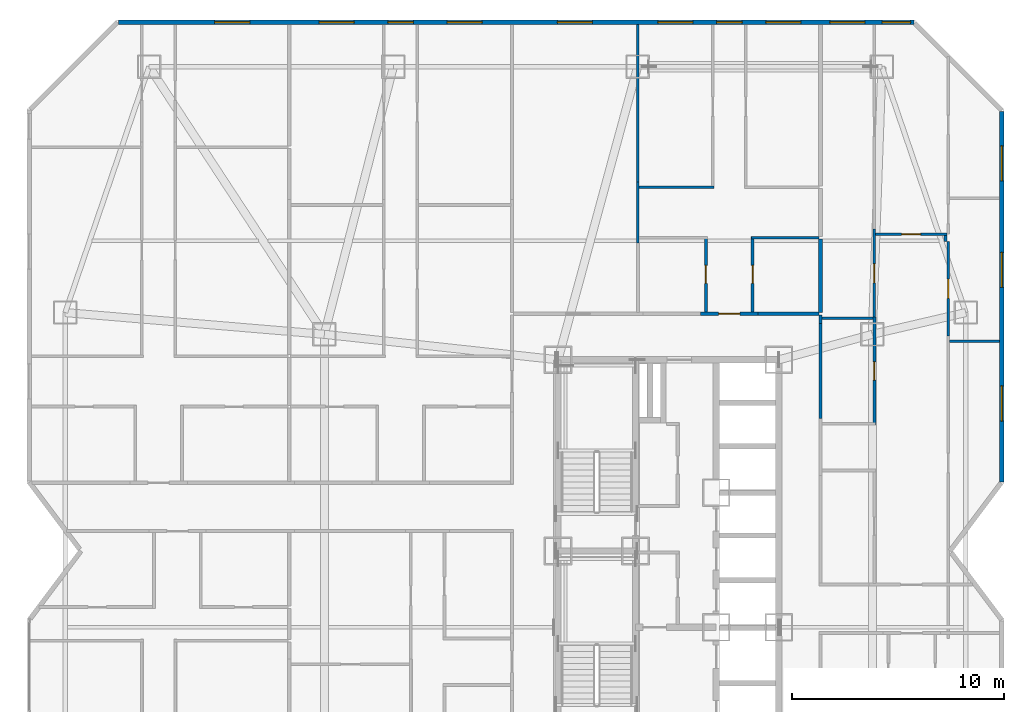
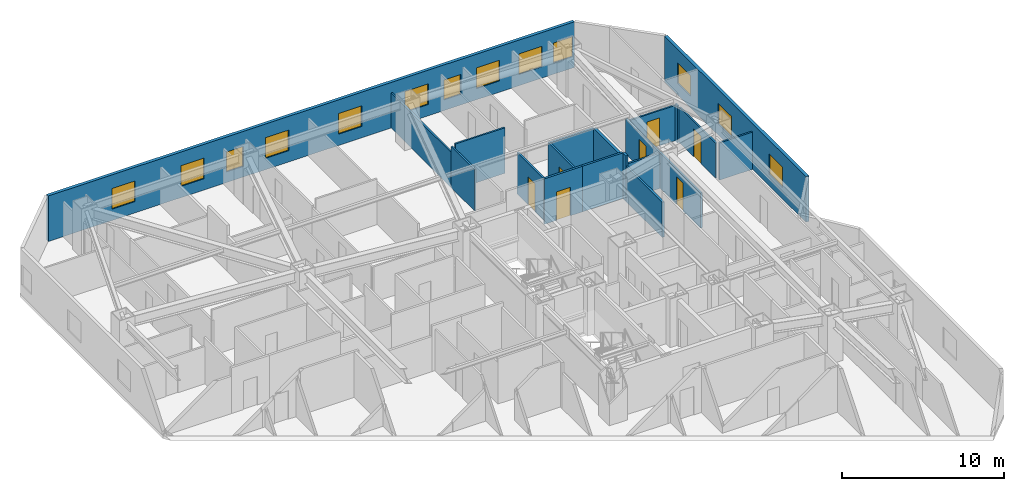
# One storey, part 16 of 18: 20 walls, 13 windows, 7 doors, 20 openings.
"""IFC4 building model written with IfcOpenShell, lengths in metres."""

from ifc_helpers import new_model, si_unit, direction, frame, frame_2d, origin, place, context, subcontext, project, spatial, rectangle, extrude, material, layer, layer_set, type_object, element, fill, save


model = new_model("IFC4")

# Units and contexts
model_context = context("Model", 3, precision=1e-05, world=origin(), true_north=direction((0.0, 1.0)))
body_context = subcontext(model_context, "Body", "Model", "MODEL_VIEW")
ifc_project = project(units=[si_unit("LENGTHUNIT", "METRE"), si_unit("AREAUNIT", "SQUARE_METRE"), si_unit("VOLUMEUNIT", "CUBIC_METRE"), si_unit("PLANEANGLEUNIT", "RADIAN"), si_unit("MASSUNIT", "GRAM", prefix="KILO")], contexts=[model_context])

# Site, building, storey
site_placement = place(None, origin())
site = spatial("IfcSite", under=ifc_project, at=site_placement, CompositionType="ELEMENT")
building_placement = place(site_placement, origin())
building = spatial("IfcBuilding", under=site, at=building_placement, Name="Khamvora Tower", CompositionType="ELEMENT")
storey_placement = place(building_placement, frame((0.0, 0.0, 69.800048828125)))
storey = spatial("IfcBuildingStorey", under=building, at=storey_placement, Name="L17", CompositionType="ELEMENT", Elevation=69.800048828125)

# Wall, opening, door
ifc_material_1 = material(Name="Fire-Rated Drywall and Steel Stud", Category="steel")
ifc_layer_1 = layer(ifc_material_1, 0.14990234375)
ifc_layer_set_1 = layer_set([ifc_layer_1], Name="Fire-Rated Drywall and Steel Stud")
wall_type_1 = type_object("IfcWallType", Name="WAL-CORR-150", PredefinedType="STANDARD", material=ifc_layer_set_1)
wall_1_placement = place(storey_placement, frame((35.716064453125, 39.1650390625, 0.0), z_axis=(0.0, 0.0, 1.0), x_axis=(1.0, 0.0, 0.0)))
wall_1 = element("IfcWall", 1, at=wall_1_placement, inside=storey, type_object=wall_type_1, Name="L17 interior partition wall 029", PredefinedType="STANDARD", context=body_context, shape_type="SweptSolid", body=[
    extrude(rectangle(XDim=2.697998046875, YDim=0.14990234375, at=frame_2d((1.34912109375, 0.0))), origin(), (0.0, 0.0, 1.0), 3.429931640625),
])
opening_1_placement = place(wall_1_placement, frame((0.84912109375, 0.0, 0.0)))
opening_1 = element("IfcOpeningElement", 2, at=opening_1_placement, cuts=wall_1, Name="Opening D-U1", PredefinedType="OPENING", context=body_context, shape_type="SweptSolid", body=[
    extrude(rectangle(XDim=1.0, YDim=2.14990234375, at=frame_2d((0.5, 1.074951171875))), frame((0.0, 0.0849609375, 0.0), z_axis=(0.0, -1.0, 0.0), x_axis=(1.0, 0.0, 0.0)), (0.0, 0.0, 1.0), 0.169921875),
])
ifc_material_2 = material(Name="Powder-Coated Steel and Hardwood Leaf", Category="steel")
door_type_1 = type_object("IfcDoorType", Name="DOR-UNIT-1000", OperationType="NOTDEFINED", PredefinedType="DOOR", material=ifc_material_2)
door_1_placement = place(opening_1_placement, origin())
door_1 = element("IfcDoor", 3, at=door_1_placement, inside=storey, type_object=door_type_1, Name="L17 interior door COR-17NAH", OperationType="SINGLE_SWING_RIGHT", OverallHeight=2.14990234375, OverallWidth=1.0, PredefinedType="DOOR", context=body_context, shape_type="SweptSolid", body=[
    extrude(rectangle(XDim=1.0, YDim=2.14990234375, at=frame_2d((0.5, 1.074951171875))), frame((0.0, 0.02490234375, 0.0), z_axis=(0.0, -1.0, 0.0), x_axis=(1.0, 0.0, 0.0)), (0.0, 0.0, 1.0), 0.050048828125),
])
fill(opening_1, door_1)

# Walls
wall_2_placement = place(storey_placement, frame((38.4140625, 39.1650390625, 0.0), z_axis=(0.0, 0.0, 1.0), x_axis=(1.0, 0.0, 0.0)))
element("IfcWall", 4, at=wall_2_placement, inside=storey, type_object=wall_type_1, Name="L17 interior partition wall 031", PredefinedType="STANDARD", context=body_context, shape_type="SweptSolid", body=[
    extrude(rectangle(XDim=2.885986328125, YDim=0.14990234375, at=frame_2d((1.44287109375, 0.0))), origin(), (0.0, 0.0, 1.0), 3.429931640625),
])
wall_3_placement = place(storey_placement, frame((41.364990234375, 39.10009765625, 0.0), z_axis=(0.0, 0.0, 1.0), x_axis=(0.0, -1.0, 0.0)))
element("IfcWall", 5, at=wall_3_placement, inside=storey, type_object=wall_type_1, Name="L17 interior partition wall 038", PredefinedType="STANDARD", context=body_context, shape_type="SweptSolid", body=[
    extrude(rectangle(XDim=0.39306640625, YDim=0.14990234375, at=frame_2d((0.196533203125, 0.0))), origin(), (0.0, 0.0, 1.0), 3.429931640625),
])
wall_4_placement = place(storey_placement, frame((41.364990234375, 38.70703125, 0.0), z_axis=(0.0, 0.0, 1.0), x_axis=(0.0, -1.0, 0.0)))
element("IfcWall", 6, at=wall_4_placement, inside=storey, type_object=wall_type_1, Name="L17 interior partition wall 041", PredefinedType="STANDARD", context=body_context, shape_type="SweptSolid", body=[
    extrude(rectangle(XDim=4.467041015625, YDim=0.14990234375, at=frame_2d((2.2333984375, 0.0))), origin(), (0.0, 0.0, 1.0), 2.64697265625),
])
ifc_material_3 = material(Name="Acoustic Double-Stud Fire Wall", Category="gypsum")
ifc_layer_2 = layer(ifc_material_3, 0.179931640625)
ifc_layer_set_2 = layer_set([ifc_layer_2], Name="Acoustic Double-Stud Fire Wall")
wall_type_2 = type_object("IfcWallType", Name="WAL-CORR-180", PredefinedType="STANDARD", material=ifc_layer_set_2)
wall_5_placement = place(storey_placement, frame((41.364990234375, 42.679931640625, 0.0), z_axis=(0.0, 0.0, 1.0), x_axis=(0.0, -1.0, 0.0)))
element("IfcWall", 7, at=wall_5_placement, inside=storey, type_object=wall_type_2, Name="L17 interior partition wall 135", PredefinedType="STANDARD", context=body_context, shape_type="SweptSolid", body=[
    extrude(rectangle(XDim=3.449951171875, YDim=0.179931640625, at=frame_2d((1.72509765625, 0.0))), origin(), (0.0, 0.0, 1.0), 3.10693359375),
])

# Wall, openings, windows
ifc_material_4 = material(Name="Precast concrete C40/50", Category="concrete")
ifc_layer_3 = layer(ifc_material_4, 0.219970703125)
ifc_layer_set_3 = layer_set([ifc_layer_3], Name="Precast concrete C40/50")
wall_type_3 = type_object("IfcWallType", Name="WAL-EXT-220", PredefinedType="STANDARD", material=ifc_layer_set_3)
wall_6_placement = place(storey_placement, frame((8.31494140625, 52.889892578125, 0.0), z_axis=(0.0, 0.0, 1.0), x_axis=(1.0, 0.0, 0.0)))
wall_6 = element("IfcWall", 8, at=wall_6_placement, inside=storey, type_object=wall_type_3, Name="L17 exterior facade wall 07.1", PredefinedType="STANDARD", context=body_context, shape_type="SweptSolid", body=[
    extrude(rectangle(XDim=37.43896484375, YDim=0.219970703125, at=frame_2d((18.719482421875, 0.0))), origin(), (0.0, 0.0, 1.0), 3.429931640625),
])
opening_2_placement = place(wall_6_placement, frame((20.659912109375, 0.0, 0.85009765625)))
opening_2 = element("IfcOpeningElement", 9, at=opening_2_placement, cuts=wall_6, Name="Opening WN-06", PredefinedType="OPENING", context=body_context, shape_type="SweptSolid", body=[
    extrude(rectangle(XDim=1.64990234375, YDim=1.550048828125, at=frame_2d((0.824951171875, 0.77490234375))), frame((0.0, 0.119873046875, 0.0), z_axis=(0.0, -1.0, 0.0), x_axis=(1.0, 0.0, 0.0)), (0.0, 0.0, 1.0), 0.239990234375),
])
opening_3_placement = place(wall_6_placement, frame((4.52392578125, 0.0, 0.85009765625)))
opening_3 = element("IfcOpeningElement", 10, at=opening_3_placement, cuts=wall_6, Name="Opening WN-06", PredefinedType="OPENING", context=body_context, shape_type="SweptSolid", body=[
    extrude(rectangle(XDim=1.64990234375, YDim=1.550048828125, at=frame_2d((0.824951171875, 0.77490234375))), frame((0.0, 0.119873046875, 0.0), z_axis=(0.0, -1.0, 0.0), x_axis=(1.0, 0.0, 0.0)), (0.0, 0.0, 1.0), 0.239990234375),
])
opening_4_placement = place(wall_6_placement, frame((12.676025390625, 0.0, 0.800048828125)))
opening_4 = element("IfcOpeningElement", 11, at=opening_4_placement, cuts=wall_6, Name="Opening WN-03", PredefinedType="OPENING", context=body_context, shape_type="SweptSolid", body=[
    extrude(rectangle(XDim=1.199951171875, YDim=1.5, at=frame_2d((0.60009765625, 0.75))), frame((0.0, 0.119873046875, 0.0), z_axis=(0.0, -1.0, 0.0), x_axis=(1.0, 0.0, 0.0)), (0.0, 0.0, 1.0), 0.239990234375),
])
opening_5_placement = place(wall_6_placement, frame((9.43603515625, 0.0, 0.85009765625)))
opening_5 = element("IfcOpeningElement", 12, at=opening_5_placement, cuts=wall_6, Name="Opening WN-06", PredefinedType="OPENING", context=body_context, shape_type="SweptSolid", body=[
    extrude(rectangle(XDim=1.64990234375, YDim=1.550048828125, at=frame_2d((0.824951171875, 0.77490234375))), frame((0.0, 0.119873046875, 0.0), z_axis=(0.0, -1.0, 0.0), x_axis=(1.0, 0.0, 0.0)), (0.0, 0.0, 1.0), 0.239990234375),
])
opening_6_placement = place(wall_6_placement, frame((15.465087890625, 0.0, 0.85009765625)))
opening_6 = element("IfcOpeningElement", 13, at=opening_6_placement, cuts=wall_6, Name="Opening WN-06", PredefinedType="OPENING", context=body_context, shape_type="SweptSolid", body=[
    extrude(rectangle(XDim=1.64990234375, YDim=1.550048828125, at=frame_2d((0.824951171875, 0.77490234375))), frame((0.0, 0.119873046875, 0.0), z_axis=(0.0, -1.0, 0.0), x_axis=(1.0, 0.0, 0.0)), (0.0, 0.0, 1.0), 0.239990234375),
])
opening_7_placement = place(wall_6_placement, frame((28.14990234375, 0.0, 0.800048828125)))
opening_7 = element("IfcOpeningElement", 14, at=opening_7_placement, cuts=wall_6, Name="Opening WN-03", PredefinedType="OPENING", context=body_context, shape_type="SweptSolid", body=[
    extrude(rectangle(XDim=1.199951171875, YDim=1.5, at=frame_2d((0.60009765625, 0.75))), frame((0.0, 0.119873046875, 0.0), z_axis=(0.0, -1.0, 0.0), x_axis=(1.0, 0.0, 0.0)), (0.0, 0.0, 1.0), 0.239990234375),
])
opening_8_placement = place(wall_6_placement, frame((25.383056640625, 0.0, 0.85009765625)))
opening_8 = element("IfcOpeningElement", 15, at=opening_8_placement, cuts=wall_6, Name="Opening WN-06", PredefinedType="OPENING", context=body_context, shape_type="SweptSolid", body=[
    extrude(rectangle(XDim=1.64990234375, YDim=1.550048828125, at=frame_2d((0.824951171875, 0.77490234375))), frame((0.0, 0.119873046875, 0.0), z_axis=(0.0, -1.0, 0.0), x_axis=(1.0, 0.0, 0.0)), (0.0, 0.0, 1.0), 0.239990234375),
])
opening_9_placement = place(wall_6_placement, frame((30.468017578125, 0.0, 0.85009765625)))
opening_9 = element("IfcOpeningElement", 16, at=opening_9_placement, cuts=wall_6, Name="Opening WN-06", PredefinedType="OPENING", context=body_context, shape_type="SweptSolid", body=[
    extrude(rectangle(XDim=1.64990234375, YDim=1.550048828125, at=frame_2d((0.824951171875, 0.77490234375))), frame((0.0, 0.119873046875, 0.0), z_axis=(0.0, -1.0, 0.0), x_axis=(1.0, 0.0, 0.0)), (0.0, 0.0, 1.0), 0.239990234375),
])
opening_10_placement = place(wall_6_placement, frame((33.489990234375, 0.0, 0.85009765625)))
opening_10 = element("IfcOpeningElement", 17, at=opening_10_placement, cuts=wall_6, Name="Opening WN-06", PredefinedType="OPENING", context=body_context, shape_type="SweptSolid", body=[
    extrude(rectangle(XDim=1.64990234375, YDim=1.550048828125, at=frame_2d((0.824951171875, 0.77490234375))), frame((0.0, 0.119873046875, 0.0), z_axis=(0.0, -1.0, 0.0), x_axis=(1.0, 0.0, 0.0)), (0.0, 0.0, 1.0), 0.239990234375),
])
opening_11_placement = place(wall_6_placement, frame((35.94189453125, 0.0, 0.85009765625)))
opening_11 = element("IfcOpeningElement", 18, at=opening_11_placement, cuts=wall_6, Name="Opening WN-07", PredefinedType="OPENING", context=body_context, shape_type="SweptSolid", body=[
    extrude(rectangle(XDim=1.35009765625, YDim=1.5, at=frame_2d((0.675048828125, 0.75))), frame((0.0, 0.119873046875, 0.0), z_axis=(0.0, -1.0, 0.0), x_axis=(1.0, 0.0, 0.0)), (0.0, 0.0, 1.0), 0.239990234375),
])
ifc_material_5 = material(Name="Low-E Laminated Double Glazing", Category="glass")
window_type_1 = type_object("IfcWindowType", Name="WIN-VIS-1200x1500", PartitioningType="SINGLE_PANEL", PredefinedType="WINDOW", material=ifc_material_5)
window_1_placement = place(opening_4_placement, origin())
window_1 = element("IfcWindow", 19, at=window_1_placement, inside=storey, type_object=window_type_1, Name="L17 vision window 07.1.03", OverallHeight=1.5, OverallWidth=1.199951171875, PartitioningType="SINGLE_PANEL", PredefinedType="WINDOW", context=body_context, shape_type="SweptSolid", body=[
    extrude(rectangle(XDim=1.199951171875, YDim=1.5, at=frame_2d((0.60009765625, 0.75))), frame((0.0, 0.030029296875, 0.0), z_axis=(0.0, -1.0, 0.0), x_axis=(1.0, 0.0, 0.0)), (0.0, 0.0, 1.0), 0.06005859375),
])
fill(opening_4, window_1)
window_2_placement = place(opening_7_placement, origin())
window_2 = element("IfcWindow", 20, at=window_2_placement, inside=storey, type_object=window_type_1, Name="L17 vision window 07.1.06", OverallHeight=1.5, OverallWidth=1.199951171875, PartitioningType="SINGLE_PANEL", PredefinedType="WINDOW", context=body_context, shape_type="SweptSolid", body=[
    extrude(rectangle(XDim=1.199951171875, YDim=1.5, at=frame_2d((0.60009765625, 0.75))), frame((0.0, 0.030029296875, 0.0), z_axis=(0.0, -1.0, 0.0), x_axis=(1.0, 0.0, 0.0)), (0.0, 0.0, 1.0), 0.06005859375),
])
fill(opening_7, window_2)
window_type_2 = type_object("IfcWindowType", Name="WIN-VIS-1350x1500", PartitioningType="SINGLE_PANEL", PredefinedType="WINDOW", material=ifc_material_5)
window_3_placement = place(opening_11_placement, origin())
window_3 = element("IfcWindow", 21, at=window_3_placement, inside=storey, type_object=window_type_2, Name="L17 vision window 07.1.10", OverallHeight=1.5, OverallWidth=1.35009765625, PartitioningType="SINGLE_PANEL", PredefinedType="WINDOW", context=body_context, shape_type="SweptSolid", body=[
    extrude(rectangle(XDim=1.35009765625, YDim=1.5, at=frame_2d((0.675048828125, 0.75))), frame((0.0, 0.030029296875, 0.0), z_axis=(0.0, -1.0, 0.0), x_axis=(1.0, 0.0, 0.0)), (0.0, 0.0, 1.0), 0.06005859375),
])
fill(opening_11, window_3)
window_type_3 = type_object("IfcWindowType", Name="WIN-VIS-1650x1550", PartitioningType="SINGLE_PANEL", PredefinedType="WINDOW", material=ifc_material_5)
window_4_placement = place(opening_2_placement, origin())
window_4 = element("IfcWindow", 22, at=window_4_placement, inside=storey, type_object=window_type_3, Name="L17 vision window 07.1.01", OverallHeight=1.550048828125, OverallWidth=1.64990234375, PartitioningType="SINGLE_PANEL", PredefinedType="WINDOW", context=body_context, shape_type="SweptSolid", body=[
    extrude(rectangle(XDim=1.64990234375, YDim=1.550048828125, at=frame_2d((0.824951171875, 0.77490234375))), frame((0.0, 0.030029296875, 0.0), z_axis=(0.0, -1.0, 0.0), x_axis=(1.0, 0.0, 0.0)), (0.0, 0.0, 1.0), 0.06005859375),
])
fill(opening_2, window_4)
window_5_placement = place(opening_3_placement, origin())
window_5 = element("IfcWindow", 23, at=window_5_placement, inside=storey, type_object=window_type_3, Name="L17 vision window 07.1.02", OverallHeight=1.550048828125, OverallWidth=1.64990234375, PartitioningType="SINGLE_PANEL", PredefinedType="WINDOW", context=body_context, shape_type="SweptSolid", body=[
    extrude(rectangle(XDim=1.64990234375, YDim=1.550048828125, at=frame_2d((0.824951171875, 0.77490234375))), frame((0.0, 0.030029296875, 0.0), z_axis=(0.0, -1.0, 0.0), x_axis=(1.0, 0.0, 0.0)), (0.0, 0.0, 1.0), 0.06005859375),
])
fill(opening_3, window_5)
window_6_placement = place(opening_5_placement, origin())
window_6 = element("IfcWindow", 24, at=window_6_placement, inside=storey, type_object=window_type_3, Name="L17 vision window 07.1.04", OverallHeight=1.550048828125, OverallWidth=1.64990234375, PartitioningType="SINGLE_PANEL", PredefinedType="WINDOW", context=body_context, shape_type="SweptSolid", body=[
    extrude(rectangle(XDim=1.64990234375, YDim=1.550048828125, at=frame_2d((0.824951171875, 0.77490234375))), frame((0.0, 0.030029296875, 0.0), z_axis=(0.0, -1.0, 0.0), x_axis=(1.0, 0.0, 0.0)), (0.0, 0.0, 1.0), 0.06005859375),
])
fill(opening_5, window_6)
window_7_placement = place(opening_6_placement, origin())
window_7 = element("IfcWindow", 25, at=window_7_placement, inside=storey, type_object=window_type_3, Name="L17 vision window 07.1.05", OverallHeight=1.550048828125, OverallWidth=1.64990234375, PartitioningType="SINGLE_PANEL", PredefinedType="WINDOW", context=body_context, shape_type="SweptSolid", body=[
    extrude(rectangle(XDim=1.64990234375, YDim=1.550048828125, at=frame_2d((0.824951171875, 0.77490234375))), frame((0.0, 0.030029296875, 0.0), z_axis=(0.0, -1.0, 0.0), x_axis=(1.0, 0.0, 0.0)), (0.0, 0.0, 1.0), 0.06005859375),
])
fill(opening_6, window_7)
window_8_placement = place(opening_8_placement, origin())
window_8 = element("IfcWindow", 26, at=window_8_placement, inside=storey, type_object=window_type_3, Name="L17 vision window 07.1.07", OverallHeight=1.550048828125, OverallWidth=1.64990234375, PartitioningType="SINGLE_PANEL", PredefinedType="WINDOW", context=body_context, shape_type="SweptSolid", body=[
    extrude(rectangle(XDim=1.64990234375, YDim=1.550048828125, at=frame_2d((0.824951171875, 0.77490234375))), frame((0.0, 0.030029296875, 0.0), z_axis=(0.0, -1.0, 0.0), x_axis=(1.0, 0.0, 0.0)), (0.0, 0.0, 1.0), 0.06005859375),
])
fill(opening_8, window_8)
window_9_placement = place(opening_9_placement, origin())
window_9 = element("IfcWindow", 27, at=window_9_placement, inside=storey, type_object=window_type_3, Name="L17 vision window 07.1.08", OverallHeight=1.550048828125, OverallWidth=1.64990234375, PartitioningType="SINGLE_PANEL", PredefinedType="WINDOW", context=body_context, shape_type="SweptSolid", body=[
    extrude(rectangle(XDim=1.64990234375, YDim=1.550048828125, at=frame_2d((0.824951171875, 0.77490234375))), frame((0.0, 0.030029296875, 0.0), z_axis=(0.0, -1.0, 0.0), x_axis=(1.0, 0.0, 0.0)), (0.0, 0.0, 1.0), 0.06005859375),
])
fill(opening_9, window_9)
window_10_placement = place(opening_10_placement, origin())
window_10 = element("IfcWindow", 28, at=window_10_placement, inside=storey, type_object=window_type_3, Name="L17 vision window 07.1.09", OverallHeight=1.550048828125, OverallWidth=1.64990234375, PartitioningType="SINGLE_PANEL", PredefinedType="WINDOW", context=body_context, shape_type="SweptSolid", body=[
    extrude(rectangle(XDim=1.64990234375, YDim=1.550048828125, at=frame_2d((0.824951171875, 0.77490234375))), frame((0.0, 0.030029296875, 0.0), z_axis=(0.0, -1.0, 0.0), x_axis=(1.0, 0.0, 0.0)), (0.0, 0.0, 1.0), 0.06005859375),
])
fill(opening_10, window_10)

wall_7_placement = place(storey_placement, frame((49.889892578125, 48.68310546875, 0.0), z_axis=(0.0, 0.0, 1.0), x_axis=(0.0, -1.0, 0.0)))
wall_7 = element("IfcWall", 29, at=wall_7_placement, inside=storey, type_object=wall_type_3, Name="L17 exterior facade wall 09.1", PredefinedType="STANDARD", context=body_context, shape_type="SweptSolid", body=[
    extrude(rectangle(XDim=17.446044921875, YDim=0.219970703125, at=frame_2d((8.72314453125, 0.0))), origin(), (0.0, 0.0, 1.0), 3.429931640625),
])
opening_12_placement = place(wall_7_placement, frame((12.9140625, 0.0, 0.85009765625)))
opening_12 = element("IfcOpeningElement", 30, at=opening_12_placement, cuts=wall_7, Name="Opening WN-06", PredefinedType="OPENING", context=body_context, shape_type="SweptSolid", body=[
    extrude(rectangle(XDim=1.64990234375, YDim=1.550048828125, at=frame_2d((0.824951171875, 0.77490234375))), frame((0.0, 0.119873046875, 0.0), z_axis=(0.0, -1.0, 0.0), x_axis=(1.0, 0.0, 0.0)), (0.0, 0.0, 1.0), 0.239990234375),
])
opening_13_placement = place(wall_7_placement, frame((6.623046875, 0.0, 0.85009765625)))
opening_13 = element("IfcOpeningElement", 31, at=opening_13_placement, cuts=wall_7, Name="Opening WN-06", PredefinedType="OPENING", context=body_context, shape_type="SweptSolid", body=[
    extrude(rectangle(XDim=1.64990234375, YDim=1.550048828125, at=frame_2d((0.824951171875, 0.77490234375))), frame((0.0, 0.119873046875, 0.0), z_axis=(0.0, -1.0, 0.0), x_axis=(1.0, 0.0, 0.0)), (0.0, 0.0, 1.0), 0.239990234375),
])
opening_14_placement = place(wall_7_placement, frame((1.60693359375, 0.0, 0.85009765625)))
opening_14 = element("IfcOpeningElement", 32, at=opening_14_placement, cuts=wall_7, Name="Opening WN-06", PredefinedType="OPENING", context=body_context, shape_type="SweptSolid", body=[
    extrude(rectangle(XDim=1.64990234375, YDim=1.550048828125, at=frame_2d((0.824951171875, 0.77490234375))), frame((0.0, 0.119873046875, 0.0), z_axis=(0.0, -1.0, 0.0), x_axis=(1.0, 0.0, 0.0)), (0.0, 0.0, 1.0), 0.239990234375),
])
window_11_placement = place(opening_12_placement, origin())
window_11 = element("IfcWindow", 33, at=window_11_placement, inside=storey, type_object=window_type_3, Name="L17 vision window 09.1.01", OverallHeight=1.550048828125, OverallWidth=1.64990234375, PartitioningType="SINGLE_PANEL", PredefinedType="WINDOW", context=body_context, shape_type="SweptSolid", body=[
    extrude(rectangle(XDim=1.64990234375, YDim=1.550048828125, at=frame_2d((0.824951171875, 0.77490234375))), frame((0.0, 0.030029296875, 0.0), z_axis=(0.0, -1.0, 0.0), x_axis=(1.0, 0.0, 0.0)), (0.0, 0.0, 1.0), 0.06005859375),
])
fill(opening_12, window_11)
window_12_placement = place(opening_13_placement, origin())
window_12 = element("IfcWindow", 34, at=window_12_placement, inside=storey, type_object=window_type_3, Name="L17 vision window 09.1.02", OverallHeight=1.550048828125, OverallWidth=1.64990234375, PartitioningType="SINGLE_PANEL", PredefinedType="WINDOW", context=body_context, shape_type="SweptSolid", body=[
    extrude(rectangle(XDim=1.64990234375, YDim=1.550048828125, at=frame_2d((0.824951171875, 0.77490234375))), frame((0.0, 0.030029296875, 0.0), z_axis=(0.0, -1.0, 0.0), x_axis=(1.0, 0.0, 0.0)), (0.0, 0.0, 1.0), 0.06005859375),
])
fill(opening_13, window_12)
window_13_placement = place(opening_14_placement, origin())
window_13 = element("IfcWindow", 35, at=window_13_placement, inside=storey, type_object=window_type_3, Name="L17 vision window 09.1.03", OverallHeight=1.550048828125, OverallWidth=1.64990234375, PartitioningType="SINGLE_PANEL", PredefinedType="WINDOW", context=body_context, shape_type="SweptSolid", body=[
    extrude(rectangle(XDim=1.64990234375, YDim=1.550048828125, at=frame_2d((0.824951171875, 0.77490234375))), frame((0.0, 0.030029296875, 0.0), z_axis=(0.0, -1.0, 0.0), x_axis=(1.0, 0.0, 0.0)), (0.0, 0.0, 1.0), 0.06005859375),
])
fill(opening_14, window_13)

# Walls
ifc_material_6 = material(Name="Gypsum Plasterboard Partition", Category="gypsum")
ifc_layer_4 = layer(ifc_material_6, 0.1201171875)
ifc_layer_set_4 = layer_set([ifc_layer_4], Name="Gypsum Plasterboard Partition")
wall_type_4 = type_object("IfcWallType", Name="WAL-PART-120", PredefinedType="PARTITIONING", material=ifc_layer_set_4)
wall_8_placement = place(storey_placement, frame((32.764892578125, 45.3740234375, 0.0), z_axis=(0.0, 0.0, 1.0), x_axis=(0.0, -1.0, 0.0)))
element("IfcWall", 36, at=wall_8_placement, inside=storey, type_object=wall_type_4, Name="L17 interior partition wall 046", PredefinedType="PARTITIONING", context=body_context, shape_type="SweptSolid", body=[
    extrude(rectangle(XDim=2.8779296875, YDim=0.1201171875, at=frame_2d((1.43896484375, 0.0))), origin(), (0.0, 0.0, 1.0), 3.10693359375),
])
wall_9_placement = place(storey_placement, frame((32.764892578125, 52.7880859375, 0.0), z_axis=(0.0, 0.0, 1.0), x_axis=(0.0, -1.0, 0.0)))
element("IfcWall", 37, at=wall_9_placement, inside=storey, type_object=wall_type_4, Name="L17 interior partition wall 048", PredefinedType="PARTITIONING", context=body_context, shape_type="SweptSolid", body=[
    extrude(rectangle(XDim=7.4140625, YDim=0.1201171875, at=frame_2d((3.70703125, 0.0))), origin(), (0.0, 0.0, 1.0), 2.64697265625),
])
wall_10_placement = place(storey_placement, frame((32.819091796875, 45.125, 0.0), z_axis=(0.0, 0.0, 1.0), x_axis=(1.0, 0.0, 0.0)))
element("IfcWall", 38, at=wall_10_placement, inside=storey, type_object=wall_type_4, Name="L17 interior partition wall 130", PredefinedType="PARTITIONING", context=body_context, shape_type="SweptSolid", body=[
    extrude(rectangle(XDim=3.52587890625, YDim=0.1201171875, at=frame_2d((1.762939453125, 0.0))), origin(), (0.0, 0.0, 1.0), 3.429931640625),
])

# Wall, opening, door
wall_11_placement = place(storey_placement, frame((43.89501953125, 43.16796875, 0.0), z_axis=(0.0, 0.0, 1.0), x_axis=(0.0, -1.0, 0.0)))
wall_11 = element("IfcWall", 39, at=wall_11_placement, inside=storey, type_object=wall_type_4, Name="L17 interior partition wall 145", PredefinedType="PARTITIONING", context=body_context, shape_type="SweptSolid", body=[
    extrude(rectangle(XDim=4.14697265625, YDim=0.1201171875, at=frame_2d((2.073486328125, 0.0))), origin(), (0.0, 0.0, 1.0), 2.64697265625),
])
opening_15_placement = place(wall_11_placement, frame((1.64501953125, 0.0, 0.0)))
opening_15 = element("IfcOpeningElement", 40, at=opening_15_placement, cuts=wall_11, Name="Opening D-RM1", PredefinedType="OPENING", context=body_context, shape_type="SweptSolid", body=[
    extrude(rectangle(XDim=0.89990234375, YDim=2.10009765625, at=frame_2d((0.449951171875, 1.050048828125))), frame((0.0, 0.070068359375, 0.0), z_axis=(0.0, -1.0, 0.0), x_axis=(1.0, 0.0, 0.0)), (0.0, 0.0, 1.0), 0.14013671875),
])
door_type_2 = type_object("IfcDoorType", Name="DOR-ROOM-900", OperationType="NOTDEFINED", PredefinedType="DOOR", material=ifc_material_2)
door_2_placement = place(opening_15_placement, origin())
door_2 = element("IfcDoor", 41, at=door_2_placement, inside=storey, type_object=door_type_2, Name="L17 interior door 17EBW2-17EBH", OperationType="SINGLE_SWING_RIGHT", OverallHeight=2.10009765625, OverallWidth=0.89990234375, PredefinedType="DOOR", context=body_context, shape_type="SweptSolid", body=[
    extrude(rectangle(XDim=0.89990234375, YDim=2.10009765625, at=frame_2d((0.449951171875, 1.050048828125))), frame((0.0, 0.02490234375, 0.0), z_axis=(0.0, -1.0, 0.0), x_axis=(1.0, 0.0, 0.0)), (0.0, 0.0, 1.0), 0.050048828125),
])
fill(opening_15, door_2)

wall_12_placement = place(storey_placement, frame((43.948974609375, 42.9189453125, 0.0), z_axis=(0.0, 0.0, 1.0), x_axis=(1.0, 0.0, 0.0)))
wall_12 = element("IfcWall", 42, at=wall_12_placement, inside=storey, type_object=wall_type_4, Name="L17 interior partition wall 148", PredefinedType="PARTITIONING", context=body_context, shape_type="SweptSolid", body=[
    extrude(rectangle(XDim=3.361083984375, YDim=0.1201171875, at=frame_2d((1.6806640625, 0.0))), origin(), (0.0, 0.0, 1.0), 2.64697265625),
])
opening_16_placement = place(wall_12_placement, frame((1.23095703125, 0.0, 0.0)))
opening_16 = element("IfcOpeningElement", 43, at=opening_16_placement, cuts=wall_12, Name="Opening D-RM1", PredefinedType="OPENING", context=body_context, shape_type="SweptSolid", body=[
    extrude(rectangle(XDim=0.89990234375, YDim=2.10009765625, at=frame_2d((0.449951171875, 1.050048828125))), frame((0.0, 0.070068359375, 0.0), z_axis=(0.0, -1.0, 0.0), x_axis=(1.0, 0.0, 0.0)), (0.0, 0.0, 1.0), 0.14013671875),
])
door_3_placement = place(opening_16_placement, origin())
door_3 = element("IfcDoor", 44, at=door_3_placement, inside=storey, type_object=door_type_2, Name="L17 interior door 17EBH-17EBD", OperationType="SINGLE_SWING_RIGHT", OverallHeight=2.10009765625, OverallWidth=0.89990234375, PredefinedType="DOOR", context=body_context, shape_type="SweptSolid", body=[
    extrude(rectangle(XDim=0.89990234375, YDim=2.10009765625, at=frame_2d((0.449951171875, 1.050048828125))), frame((0.0, 0.02490234375, 0.0), z_axis=(0.0, -1.0, 0.0), x_axis=(1.0, 0.0, 0.0)), (0.0, 0.0, 1.0), 0.050048828125),
])
fill(opening_16, door_3)

# Wall
wall_13_placement = place(storey_placement, frame((47.2451171875, 42.85400390625, 0.0), z_axis=(0.0, 0.0, 1.0), x_axis=(0.0, -1.0, 0.0)))
element("IfcWall", 45, at=wall_13_placement, inside=storey, type_object=wall_type_4, Name="L17 interior partition wall 149", PredefinedType="PARTITIONING", context=body_context, shape_type="SweptSolid", body=[
    extrude(rectangle(XDim=0.27490234375, YDim=0.1201171875, at=frame_2d((0.137451171875, 0.0))), origin(), (0.0, 0.0, 1.0), 2.802978515625),
])

# Wall, opening, door
wall_14_placement = place(storey_placement, frame((47.375, 42.5791015625, 0.0), z_axis=(0.0, 0.0, 1.0), x_axis=(0.0, -1.0, 0.0)))
wall_14 = element("IfcWall", 46, at=wall_14_placement, inside=storey, type_object=wall_type_4, Name="L17 interior partition wall 155", PredefinedType="PARTITIONING", context=body_context, shape_type="SweptSolid", body=[
    extrude(rectangle(XDim=4.464111328125, YDim=0.1201171875, at=frame_2d((2.23193359375, 0.0))), origin(), (0.0, 0.0, 1.0), 2.64697265625),
])
opening_17_placement = place(wall_14_placement, frame((1.781982421875, 0.0, 0.0)))
opening_17 = element("IfcOpeningElement", 47, at=opening_17_placement, cuts=wall_14, Name="Opening D-RM1", PredefinedType="OPENING", context=body_context, shape_type="SweptSolid", body=[
    extrude(rectangle(XDim=0.89990234375, YDim=2.10009765625, at=frame_2d((0.449951171875, 1.050048828125))), frame((0.0, 0.070068359375, 0.0), z_axis=(0.0, -1.0, 0.0), x_axis=(1.0, 0.0, 0.0)), (0.0, 0.0, 1.0), 0.14013671875),
])
door_4_placement = place(opening_17_placement, origin())
door_4 = element("IfcDoor", 48, at=door_4_placement, inside=storey, type_object=door_type_2, Name="L17 interior door 17EBH-17EBR2", OperationType="SINGLE_SWING_LEFT", OverallHeight=2.10009765625, OverallWidth=0.89990234375, PredefinedType="DOOR", context=body_context, shape_type="SweptSolid", body=[
    extrude(rectangle(XDim=0.89990234375, YDim=2.10009765625, at=frame_2d((0.449951171875, 1.050048828125))), frame((0.0, 0.02490234375, 0.0), z_axis=(0.0, -1.0, 0.0), x_axis=(1.0, 0.0, 0.0)), (0.0, 0.0, 1.0), 0.050048828125),
])
fill(opening_17, door_4)

# Wall
wall_15_placement = place(storey_placement, frame((47.428955078125, 37.865966796875, 0.0), z_axis=(0.0, 0.0, 1.0), x_axis=(1.0, 0.0, 0.0)))
element("IfcWall", 49, at=wall_15_placement, inside=storey, type_object=wall_type_4, Name="L17 interior partition wall 158", PredefinedType="PARTITIONING", context=body_context, shape_type="SweptSolid", body=[
    extrude(rectangle(XDim=2.359130859375, YDim=0.1201171875, at=frame_2d((1.1796875, 0.0))), origin(), (0.0, 0.0, 1.0), 2.802978515625),
])

# Wall, opening, door
ifc_material_7 = material(Name="Moisture-Resistant Plasterboard Partition", Category="gypsum")
ifc_layer_5 = layer(ifc_material_7, 0.135009765625)
ifc_layer_set_5 = layer_set([ifc_layer_5], Name="Moisture-Resistant Plasterboard Partition")
wall_type_5 = type_object("IfcWallType", Name="WAL-WET-135", PredefinedType="PARTITIONING", material=ifc_layer_set_5)
wall_16_placement = place(storey_placement, frame((35.965087890625, 39.23193359375, 0.0), z_axis=(0.0, 0.0, 1.0), x_axis=(0.0, 1.0, 0.0)))
wall_16 = element("IfcWall", 50, at=wall_16_placement, inside=storey, type_object=wall_type_5, Name="L17 interior partition wall 126", PredefinedType="PARTITIONING", context=body_context, shape_type="SweptSolid", body=[
    extrude(rectangle(XDim=3.578125, YDim=0.135009765625, at=frame_2d((1.7890625, 0.0))), origin(), (0.0, 0.0, 1.0), 3.10693359375),
])
opening_18_placement = place(wall_16_placement, frame((1.364013671875, 0.0, 0.0)))
opening_18 = element("IfcOpeningElement", 51, at=opening_18_placement, cuts=wall_16, Name="Opening D-WC1", PredefinedType="OPENING", context=body_context, shape_type="SweptSolid", body=[
    extrude(rectangle(XDim=0.85009765625, YDim=2.10009765625, at=frame_2d((0.425048828125, 1.050048828125))), frame((0.0, 0.077392578125, 0.0), z_axis=(0.0, -1.0, 0.0), x_axis=(1.0, 0.0, 0.0)), (0.0, 0.0, 1.0), 0.155029296875),
])
door_type_3 = type_object("IfcDoorType", Name="DOR-WET-850", OperationType="NOTDEFINED", PredefinedType="DOOR", material=ifc_material_2)
door_5_placement = place(opening_18_placement, origin())
door_5 = element("IfcDoor", 52, at=door_5_placement, inside=storey, type_object=door_type_3, Name="L17 interior door 17NAH-17NAB", OperationType="SINGLE_SWING_RIGHT", OverallHeight=2.10009765625, OverallWidth=0.85009765625, PredefinedType="DOOR", context=body_context, shape_type="SweptSolid", body=[
    extrude(rectangle(XDim=0.85009765625, YDim=2.10009765625, at=frame_2d((0.425048828125, 1.050048828125))), frame((0.0, 0.02490234375, 0.0), z_axis=(0.0, -1.0, 0.0), x_axis=(1.0, 0.0, 0.0)), (0.0, 0.0, 1.0), 0.050048828125),
])
fill(opening_18, door_5)

# Wall
wall_17_placement = place(storey_placement, frame((41.300048828125, 42.7451171875, 0.0), z_axis=(0.0, 0.0, 1.0), x_axis=(-1.0, 0.0, 0.0)))
element("IfcWall", 53, at=wall_17_placement, inside=storey, type_object=wall_type_5, Name="L17 interior partition wall 128", PredefinedType="PARTITIONING", context=body_context, shape_type="SweptSolid", body=[
    extrude(rectangle(XDim=3.199951171875, YDim=0.135009765625, at=frame_2d((1.60009765625, 0.0))), origin(), (0.0, 0.0, 1.0), 3.10693359375),
])

# Wall, opening, door
wall_18_placement = place(storey_placement, frame((38.1650390625, 42.81005859375, 0.0), z_axis=(0.0, 0.0, 1.0), x_axis=(0.0, -1.0, 0.0)))
wall_18 = element("IfcWall", 54, at=wall_18_placement, inside=storey, type_object=wall_type_5, Name="L17 interior partition wall 129", PredefinedType="PARTITIONING", context=body_context, shape_type="SweptSolid", body=[
    extrude(rectangle(XDim=3.578125, YDim=0.135009765625, at=frame_2d((1.7890625, 0.0))), origin(), (0.0, 0.0, 1.0), 3.10693359375),
])
opening_19_placement = place(wall_18_placement, frame((1.364013671875, 0.0, 0.0)))
opening_19 = element("IfcOpeningElement", 55, at=opening_19_placement, cuts=wall_18, Name="Opening D-RM2", PredefinedType="OPENING", context=body_context, shape_type="SweptSolid", body=[
    extrude(rectangle(XDim=0.85009765625, YDim=2.10009765625, at=frame_2d((0.425048828125, 1.050048828125))), frame((0.0, 0.077392578125, 0.0), z_axis=(0.0, -1.0, 0.0), x_axis=(1.0, 0.0, 0.0)), (0.0, 0.0, 1.0), 0.155029296875),
])
door_type_4 = type_object("IfcDoorType", Name="DOR-ROOM-850", OperationType="NOTDEFINED", PredefinedType="DOOR", material=ifc_material_2)
door_6_placement = place(opening_19_placement, origin())
door_6 = element("IfcDoor", 56, at=door_6_placement, inside=storey, type_object=door_type_4, Name="L17 interior door 17NAH-17NAK", OperationType="SINGLE_SWING_LEFT", OverallHeight=2.10009765625, OverallWidth=0.85009765625, PredefinedType="DOOR", context=body_context, shape_type="SweptSolid", body=[
    extrude(rectangle(XDim=0.85009765625, YDim=2.10009765625, at=frame_2d((0.425048828125, 1.050048828125))), frame((0.0, 0.02490234375, 0.0), z_axis=(0.0, -1.0, 0.0), x_axis=(1.0, 0.0, 0.0)), (0.0, 0.0, 1.0), 0.050048828125),
])
fill(opening_19, door_6)

# Wall
wall_19_placement = place(storey_placement, frame((43.830078125, 38.9560546875, 0.0), z_axis=(0.0, 0.0, 1.0), x_axis=(-1.0, 0.0, 0.0)))
element("IfcWall", 57, at=wall_19_placement, inside=storey, type_object=wall_type_5, Name="L17 interior partition wall 147", PredefinedType="PARTITIONING", context=body_context, shape_type="SweptSolid", body=[
    extrude(rectangle(XDim=2.398193359375, YDim=0.135009765625, at=frame_2d((1.19921875, 0.0))), origin(), (0.0, 0.0, 1.0), 2.64697265625),
])

# Wall, opening, door
wall_20_placement = place(storey_placement, frame((43.89501953125, 33.926025390625, 0.0), z_axis=(0.0, 0.0, 1.0), x_axis=(0.0, 1.0, 0.0)))
wall_20 = element("IfcWall", 58, at=wall_20_placement, inside=storey, type_object=wall_type_5, Name="L17 interior partition wall 151", PredefinedType="PARTITIONING", context=body_context, shape_type="SweptSolid", body=[
    extrude(rectangle(XDim=5.094970703125, YDim=0.135009765625, at=frame_2d((2.54736328125, 0.0))), origin(), (0.0, 0.0, 1.0), 2.64697265625),
])
opening_20_placement = place(wall_20_placement, frame((2.123046875, 0.0, 0.0)))
opening_20 = element("IfcOpeningElement", 59, at=opening_20_placement, cuts=wall_20, Name="Opening D-WC1", PredefinedType="OPENING", context=body_context, shape_type="SweptSolid", body=[
    extrude(rectangle(XDim=0.85009765625, YDim=2.10009765625, at=frame_2d((0.425048828125, 1.050048828125))), frame((0.0, 0.077392578125, 0.0), z_axis=(0.0, -1.0, 0.0), x_axis=(1.0, 0.0, 0.0)), (0.0, 0.0, 1.0), 0.155029296875),
])
door_7_placement = place(opening_20_placement, origin())
door_7 = element("IfcDoor", 60, at=door_7_placement, inside=storey, type_object=door_type_3, Name="L17 interior door 17EBH-17EBB", OperationType="SINGLE_SWING_LEFT", OverallHeight=2.10009765625, OverallWidth=0.85009765625, PredefinedType="DOOR", context=body_context, shape_type="SweptSolid", body=[
    extrude(rectangle(XDim=0.85009765625, YDim=2.10009765625, at=frame_2d((0.425048828125, 1.050048828125))), frame((0.0, 0.02490234375, 0.0), z_axis=(0.0, -1.0, 0.0), x_axis=(1.0, 0.0, 0.0)), (0.0, 0.0, 1.0), 0.050048828125),
])
fill(opening_20, door_7)

save(model, "model.ifc")
